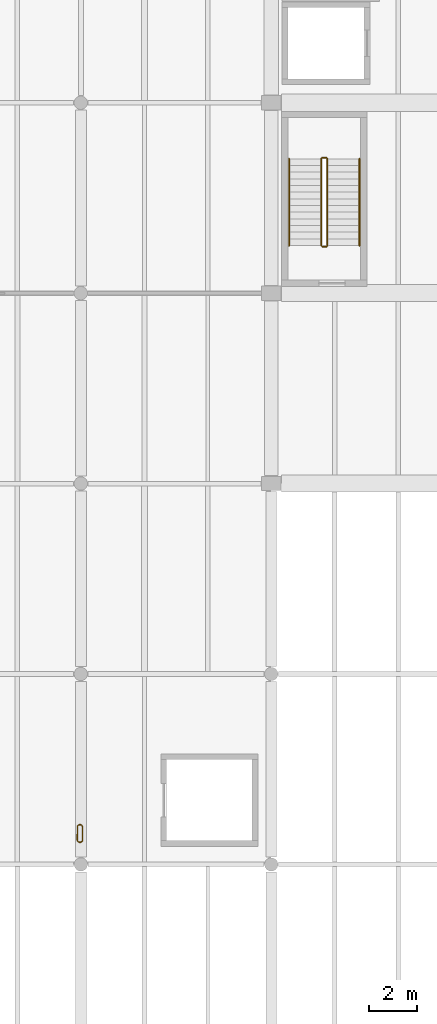
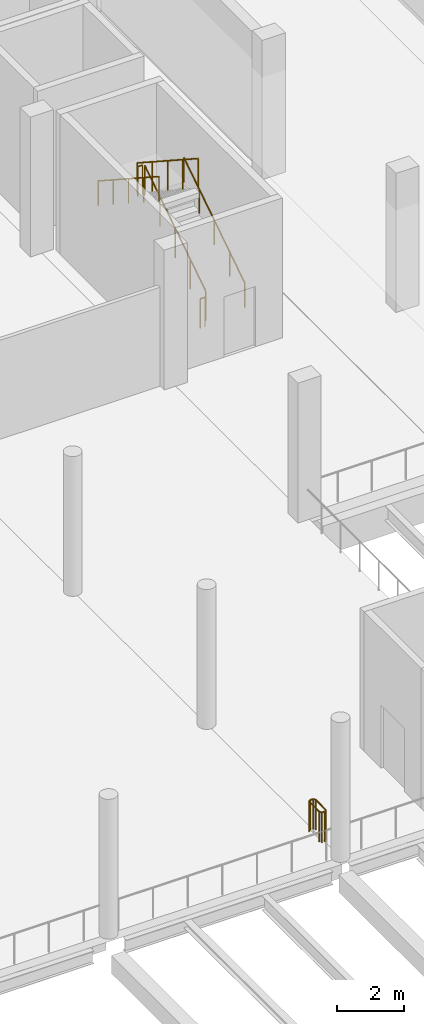
# One storey, part 48 of 61: 7 railings.
"""IFC4 building model written with IfcOpenShell, lengths in metres."""

from ifc_helpers import new_model, si_unit, direction, frame, origin, origin_2d, place, context, subcontext, project, spatial, circle, extrude, material, type_object, element, save


model = new_model("IFC4")

# Units and contexts
model_context = context("Model", 3, precision=1e-05, world=origin(), true_north=direction((0.0, 1.0)))
body_context = subcontext(model_context, "Body", "Model", "MODEL_VIEW")
ifc_project = project(units=[si_unit("LENGTHUNIT", "METRE"), si_unit("AREAUNIT", "SQUARE_METRE"), si_unit("VOLUMEUNIT", "CUBIC_METRE"), si_unit("PLANEANGLEUNIT", "RADIAN"), si_unit("MASSUNIT", "GRAM", prefix="KILO")], contexts=[model_context])

# Site, building, storey
site_placement = place(None, origin())
site = spatial("IfcSite", under=ifc_project, at=site_placement, CompositionType="ELEMENT")
building_placement = place(site_placement, origin())
building = spatial("IfcBuilding", under=site, at=building_placement, Name="Pecanmere Concourse Central Library", CompositionType="ELEMENT")
storey_placement = place(building_placement, frame((0.0, 0.0, 5.39990234375)))
storey = spatial("IfcBuildingStorey", under=building, at=storey_placement, Name="L02", CompositionType="ELEMENT", Elevation=5.39990234375)

# Railings
ifc_material_1 = material(Name="Architectural anodized bronze")
railing_type_1 = type_object("IfcRailingType", Name="RAIL_ATRIUM_BAL", PredefinedType="BALUSTRADE", material=ifc_material_1)
railing_1_placement = place(storey_placement, frame((104.069580078125, 33.596923828125, 0.0)))
element("IfcRailing", 1, at=railing_1_placement, inside=storey, type_object=railing_type_1, Name="Deck Edge Protective Balustrade L02-067", PredefinedType="BALUSTRADE", context=body_context, shape_type="SweptSolid", body=[
    extrude(circle(Radius=0.02392578125, at=origin_2d()), frame((0.0, 0.0, 1.09619140625), z_axis=(-0.591491231767, 0.806311430369, 0.0), x_axis=(-0.806311430369, -0.591491231767, 0.0)), (0.0, 0.0, 1.0), 0.0830078125),
    extrude(circle(Radius=0.02392578125, at=origin_2d()), frame((-0.049072265625, 0.06689453125, 1.09619140625), z_axis=(-0.998195860289, 0.060041856258, 0.0), x_axis=(-0.060041856258, -0.998195860289, 0.0)), (0.0, 0.0, 1.0), 0.09765625),
    extrude(circle(Radius=0.02392578125, at=origin_2d()), frame((-0.146484375, 0.07275390625, 1.09619140625), z_axis=(-0.806311430369, -0.591491231767, 0.0), x_axis=(0.591491231767, -0.806311430369, 0.0)), (0.0, 0.0, 1.0), 0.0830078125),
    extrude(circle(Radius=0.02392578125, at=origin_2d()), frame((-0.21337890625, 0.023681640625, 1.09619140625), z_axis=(-0.009489489668, -0.999954973779, 0.0), x_axis=(0.999954973779, -0.009489489668, 0.0)), (0.0, 0.0, 1.0), 0.617431640625),
    extrude(circle(Radius=0.02392578125, at=origin_2d()), frame((-0.21923828125, -0.59375, 1.09619140625), z_axis=(0.591491231767, -0.806311430369, 0.0), x_axis=(0.806311430369, 0.591491231767, 0.0)), (0.0, 0.0, 1.0), 0.0830078125),
    extrude(circle(Radius=0.02392578125, at=origin_2d()), frame((-0.170166015625, -0.66064453125, 1.09619140625), z_axis=(0.998195860289, -0.060041856258, 0.0), x_axis=(0.060041856258, 0.998195860289, 0.0)), (0.0, 0.0, 1.0), 0.09765625),
    extrude(circle(Radius=0.02392578125, at=origin_2d()), frame((-0.07275390625, -0.66650390625, 1.09619140625), z_axis=(0.806311430369, 0.591491231767, 0.0), x_axis=(-0.591491231767, 0.806311430369, 0.0)), (0.0, 0.0, 1.0), 0.0830078125),
    extrude(circle(Radius=0.02392578125, at=origin_2d()), frame((-0.005859375, -0.617431640625, 1.09619140625), z_axis=(0.009489489668, 0.999954973779, 0.0), x_axis=(-0.999954973779, 0.009489489668, 0.0)), (0.0, 0.0, 1.0), 0.617431640625),
    extrude(circle(Radius=0.02099609375, at=origin_2d()), origin(), (0.0, 0.0, 1.0), 1.072021484375),
    extrude(circle(Radius=0.02099609375, at=origin_2d()), frame((-0.049072265625, 0.06689453125, 0.0)), (0.0, 0.0, 1.0), 1.072021484375),
    extrude(circle(Radius=0.02099609375, at=origin_2d()), frame((-0.146484375, 0.07275390625, 0.0)), (0.0, 0.0, 1.0), 1.072021484375),
    extrude(circle(Radius=0.02099609375, at=origin_2d()), frame((-0.21337890625, 0.023681640625, 0.0)), (0.0, 0.0, 1.0), 1.072021484375),
    extrude(circle(Radius=0.02099609375, at=origin_2d()), frame((-0.21923828125, -0.59375, 0.0)), (0.0, 0.0, 1.0), 1.072021484375),
    extrude(circle(Radius=0.02099609375, at=origin_2d()), frame((-0.170166015625, -0.66064453125, 0.0)), (0.0, 0.0, 1.0), 1.072021484375),
    extrude(circle(Radius=0.02099609375, at=origin_2d()), frame((-0.07275390625, -0.66650390625, 0.0)), (0.0, 0.0, 1.0), 1.072021484375),
    extrude(circle(Radius=0.02099609375, at=origin_2d()), frame((-0.005859375, -0.617431640625, 0.0)), (0.0, 0.0, 1.0), 1.072021484375),
])
ifc_material_2 = material(Name="Painted architectural steel ASTM A36", Category="steel")
railing_type_2 = type_object("IfcRailingType", Name="RAIL_STAIR_GUARD", PredefinedType="GUARDRAIL", material=ifc_material_2)
railing_2_placement = place(storey_placement, frame((114.360107421875, 58.0, 0.18212890625)))
element("IfcRailing", 2, at=railing_2_placement, inside=storey, type_object=railing_type_2, Name="L02 ST-05 Guard 1", PredefinedType="GUARDRAIL", context=body_context, shape_type="SweptSolid", body=[
    extrude(circle(Radius=0.02392578125, at=origin_2d()), frame((0.0, 0.0, 1.076171875), z_axis=(0.0, 0.838234174257, 0.545310433706), x_axis=(-1.0, 0.0, 0.0)), (0.0, 0.0, 1.0), 4.34228515625),
    extrude(circle(Radius=0.02099609375, at=origin_2d()), origin(), (0.0, 0.0, 1.0), 1.052001953125),
    extrude(circle(Radius=0.02099609375, at=origin_2d()), frame((0.0, 0.909912109375, 0.592041015625)), (0.0, 0.0, 1.0), 1.052001953125),
    extrude(circle(Radius=0.02099609375, at=origin_2d()), frame((0.0, 1.81982421875, 1.18408203125)), (0.0, 0.0, 1.0), 1.052001953125),
    extrude(circle(Radius=0.02099609375, at=origin_2d()), frame((0.0, 2.72998046875, 1.77587890625)), (0.0, 0.0, 1.0), 1.052001953125),
    extrude(circle(Radius=0.02099609375, at=origin_2d()), frame((0.0, 3.639892578125, 2.367919921875)), (0.0, 0.0, 1.0), 1.052001953125),
])
railing_3_placement = place(storey_placement, frame((114.31005859375, 61.68994140625, 2.550048828125)))
element("IfcRailing", 3, at=railing_3_placement, inside=storey, type_object=railing_type_2, Name="L02 ST-05 Guard 2", PredefinedType="GUARDRAIL", context=body_context, shape_type="SweptSolid", body=[
    extrude(circle(Radius=0.02392578125, at=origin_2d()), frame((0.0, 0.0, 1.076171875), z_axis=(-1.0, 0.0, 0.0), x_axis=(0.0, -1.0, 0.0)), (0.0, 0.0, 1.0), 0.16015625),
    extrude(circle(Radius=0.02099609375, at=origin_2d()), origin(), (0.0, 0.0, 1.0), 1.052001953125),
    extrude(circle(Radius=0.02099609375, at=origin_2d()), frame((-0.16015625, 0.0, 0.0)), (0.0, 0.0, 1.0), 1.052001953125),
])
railing_4_placement = place(storey_placement, frame((114.10009765625, 61.639892578125, 2.732177734375)))
element("IfcRailing", 4, at=railing_4_placement, inside=storey, type_object=railing_type_2, Name="L02 ST-05 Guard 3", PredefinedType="GUARDRAIL", context=body_context, shape_type="SweptSolid", body=[
    extrude(circle(Radius=0.02392578125, at=origin_2d()), frame((0.0, 0.0, 1.076171875), z_axis=(0.0, -0.838234174257, 0.545310433706), x_axis=(1.0, 0.0, 0.0)), (0.0, 0.0, 1.0), 4.34228515625),
    extrude(circle(Radius=0.02099609375, at=origin_2d()), origin(), (0.0, 0.0, 1.0), 1.052001953125),
    extrude(circle(Radius=0.02099609375, at=origin_2d()), frame((0.0, -0.909912109375, 0.592041015625)), (0.0, 0.0, 1.0), 1.052001953125),
    extrude(circle(Radius=0.02099609375, at=origin_2d()), frame((0.0, -1.81982421875, 1.18408203125)), (0.0, 0.0, 1.0), 1.052001953125),
    extrude(circle(Radius=0.02099609375, at=origin_2d()), frame((0.0, -2.72998046875, 1.77587890625)), (0.0, 0.0, 1.0), 1.052001953125),
    extrude(circle(Radius=0.02099609375, at=origin_2d()), frame((0.0, -3.639892578125, 2.367919921875)), (0.0, 0.0, 1.0), 1.052001953125),
])
railing_5_placement = place(storey_placement, frame((114.31005859375, 57.949951171875, 0.0)))
element("IfcRailing", 5, at=railing_5_placement, inside=storey, type_object=railing_type_2, Name="L02 ST-05 Guard 4", PredefinedType="GUARDRAIL", context=body_context, shape_type="SweptSolid", body=[
    extrude(circle(Radius=0.02392578125, at=origin_2d()), frame((0.0, 0.0, 1.076171875), z_axis=(-1.0, 0.0, 0.0), x_axis=(0.0, -1.0, 0.0)), (0.0, 0.0, 1.0), 0.16015625),
    extrude(circle(Radius=0.02099609375, at=origin_2d()), origin(), (0.0, 0.0, 1.0), 1.052001953125),
    extrude(circle(Radius=0.02099609375, at=origin_2d()), frame((-0.16015625, 0.0, 0.0)), (0.0, 0.0, 1.0), 1.052001953125),
])
ifc_material_3 = material(Name="Brushed stainless steel Grade 316", Category="steel")
railing_type_3 = type_object("IfcRailingType", Name="RAIL_STAIR_HR", PredefinedType="HANDRAIL", material=ifc_material_3)
railing_6_placement = place(storey_placement, frame((115.7099609375, 58.0, 0.18212890625)))
element("IfcRailing", 6, at=railing_6_placement, inside=storey, type_object=railing_type_3, Name="L02 ST-05 Handrail 1", PredefinedType="HANDRAIL", context=body_context, shape_type="SweptSolid", body=[
    extrude(circle(Radius=0.02392578125, at=origin_2d()), frame((0.0, 0.0, 0.89111328125), z_axis=(0.0, 0.838234174257, 0.545310433706), x_axis=(-1.0, 0.0, 0.0)), (0.0, 0.0, 1.0), 4.34228515625),
    extrude(circle(Radius=0.02099609375, at=origin_2d()), origin(), (0.0, 0.0, 1.0), 0.866943359375),
    extrude(circle(Radius=0.02099609375, at=origin_2d()), frame((0.0, 0.909912109375, 0.592041015625)), (0.0, 0.0, 1.0), 0.866943359375),
    extrude(circle(Radius=0.02099609375, at=origin_2d()), frame((0.0, 1.81982421875, 1.18408203125)), (0.0, 0.0, 1.0), 0.866943359375),
    extrude(circle(Radius=0.02099609375, at=origin_2d()), frame((0.0, 2.72998046875, 1.77587890625)), (0.0, 0.0, 1.0), 0.866943359375),
    extrude(circle(Radius=0.02099609375, at=origin_2d()), frame((0.0, 3.639892578125, 2.367919921875)), (0.0, 0.0, 1.0), 0.866943359375),
])
railing_7_placement = place(storey_placement, frame((112.75, 61.639892578125, 2.732177734375)))
element("IfcRailing", 7, at=railing_7_placement, inside=storey, type_object=railing_type_3, Name="L02 ST-05 Handrail 2", PredefinedType="HANDRAIL", context=body_context, shape_type="SweptSolid", body=[
    extrude(circle(Radius=0.02392578125, at=origin_2d()), frame((0.0, 0.0, 0.89111328125), z_axis=(0.0, -0.838234174257, 0.545310433706), x_axis=(1.0, 0.0, 0.0)), (0.0, 0.0, 1.0), 4.34228515625),
    extrude(circle(Radius=0.02099609375, at=origin_2d()), origin(), (0.0, 0.0, 1.0), 0.866943359375),
    extrude(circle(Radius=0.02099609375, at=origin_2d()), frame((0.0, -0.909912109375, 0.592041015625)), (0.0, 0.0, 1.0), 0.866943359375),
    extrude(circle(Radius=0.02099609375, at=origin_2d()), frame((0.0, -1.81982421875, 1.18408203125)), (0.0, 0.0, 1.0), 0.866943359375),
    extrude(circle(Radius=0.02099609375, at=origin_2d()), frame((0.0, -2.72998046875, 1.77587890625)), (0.0, 0.0, 1.0), 0.866943359375),
    extrude(circle(Radius=0.02099609375, at=origin_2d()), frame((0.0, -3.639892578125, 2.367919921875)), (0.0, 0.0, 1.0), 0.866943359375),
])

save(model, "model.ifc")
